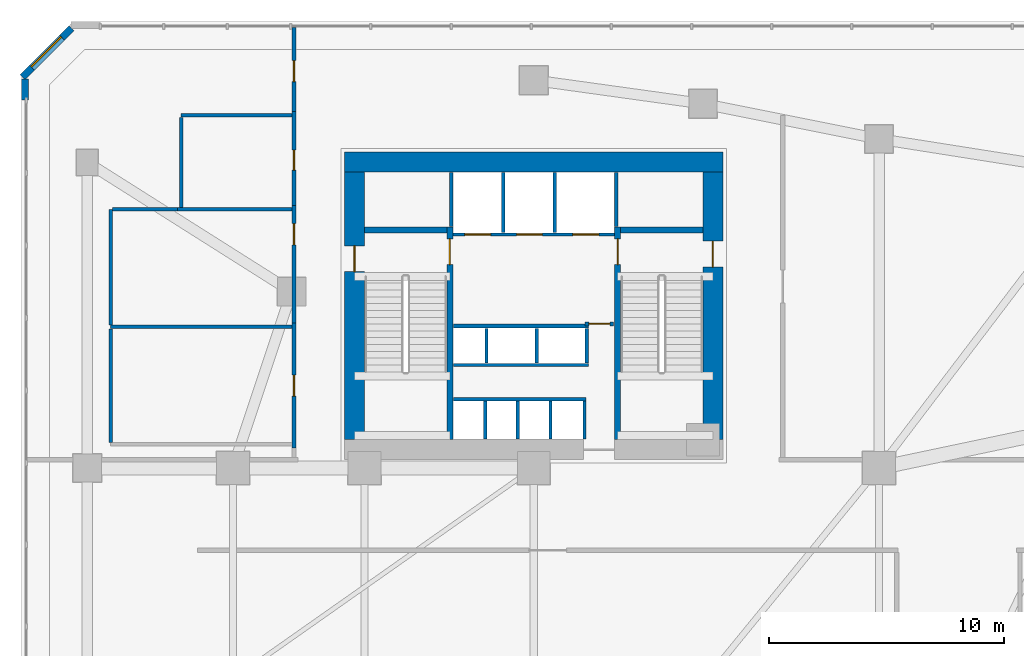
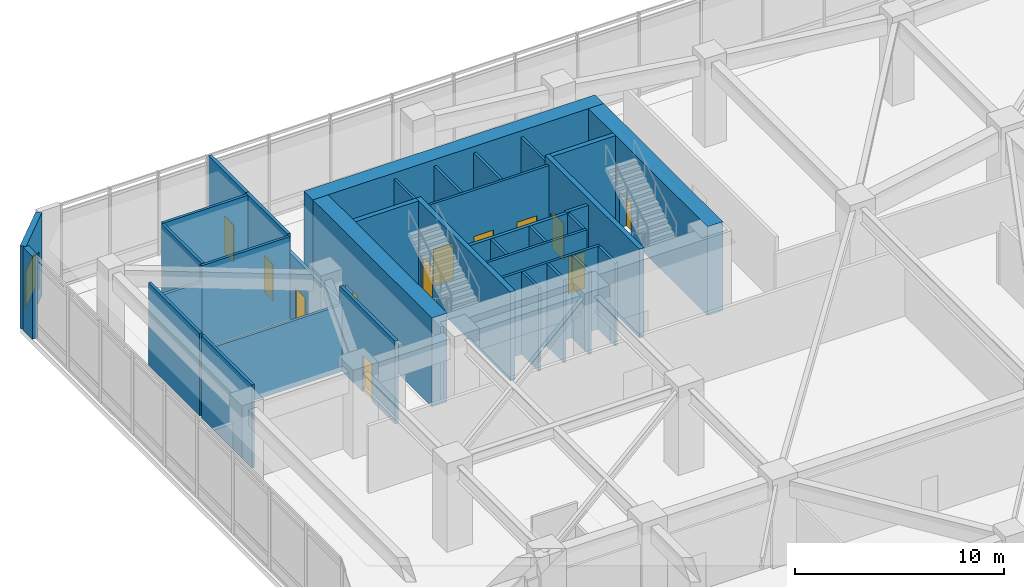
# One storey, part 11 of 15: 36 walls, 12 doors, 1 window, 13 openings.
"""IFC4 building model written with IfcOpenShell, lengths in metres."""

import ifcopenshell
import ifcopenshell.guid

model = None  # the IFC model being written
_history = None  # IfcOwnerHistory: only IFC2X3 demands one
_inside = {}  # id of a spatial element -> (the spatial element, [elements in it])
_under = {}  # id of a project, library or spatial element -> (it, [spatial elements below it])
_declared = {}  # id of a project -> (the project, [libraries it declares])
_typed = {}  # id of a type object -> (the type object, [elements of that type])
_made_of = {}  # id of a material, layer set ... -> (it, [elements and type objects made of it])


def new_model(schema):
    """Start an empty IFC model of exactly this schema.

    Asked for "IFC4X3", IfcOpenShell would pick the latest addendum, in which some entities
    have other attributes; the version numbers below select the first issue.
    IFC2X3 requires an IfcOwnerHistory on every rooted entity: one is made here for all.
    """
    global model, _history
    if schema == "IFC4X3":
        model = ifcopenshell.file(schema_version=(4, 3, 0, 0))
    else:
        model = ifcopenshell.file(schema=schema)
    _inside.clear()
    _under.clear()
    _declared.clear()
    _typed.clear()
    _made_of.clear()
    _history = None
    if model.schema == "IFC2X3":
        org = make("IfcOrganization", Name="unknown")
        user = make(
            "IfcPersonAndOrganization",
            ThePerson=make("IfcPerson", FamilyName="unknown"),
            TheOrganization=org,
        )
        app = make(
            "IfcApplication",
            ApplicationDeveloper=org,
            Version="unknown",
            ApplicationFullName="unknown",
            ApplicationIdentifier="unknown",
        )
        _history = make(
            "IfcOwnerHistory",
            OwningUser=user,
            OwningApplication=app,
            ChangeAction="ADDED",
            CreationDate=0,
        )
    return model


def make(cls, **values):
    """One entity of the class cls with the attributes given. An attribute that is None is left unset."""
    return model.create_entity(
        cls, **{name: value for name, value in values.items() if value is not None}
    )


def rooted(cls, **values):
    """An entity with a GlobalId (a new one), such as an element, a storey or a relation."""
    return make(cls, GlobalId=ifcopenshell.guid.new(), OwnerHistory=_history, **values)


def si_unit(unit_type, name, prefix=None):
    """IfcSIUnit, for example si_unit("LENGTHUNIT", "METRE", prefix="MILLI")."""
    return make("IfcSIUnit", UnitType=unit_type, Prefix=prefix, Name=name)


def assignment(units):
    """IfcUnitAssignment: the units of a project."""
    return None if units is None else make("IfcUnitAssignment", Units=units)


def point(xyz):
    """IfcCartesianPoint."""
    return None if xyz is None else make("IfcCartesianPoint", Coordinates=xyz)


def direction(xyz):
    """IfcDirection."""
    return None if xyz is None else make("IfcDirection", DirectionRatios=xyz)


def frame(location, z_axis=None, x_axis=None):
    """IfcAxis2Placement3D, a coordinate frame: its origin and axes. An axis left out is left unset."""
    return make(
        "IfcAxis2Placement3D",
        Location=point(location),
        Axis=direction(z_axis),
        RefDirection=direction(x_axis),
    )


def frame_2d(location, x_axis=None):
    """IfcAxis2Placement2D, a coordinate frame in the plane: its origin and x axis."""
    return make(
        "IfcAxis2Placement2D", Location=point(location), RefDirection=direction(x_axis)
    )


def origin():
    """The frame at (0, 0, 0) with its axes left unset."""
    return frame((0.0, 0.0, 0.0))


def place(relative_to, where):
    """IfcLocalPlacement: puts the frame where relative to a parent placement (None: the world)."""
    return make(
        "IfcLocalPlacement", PlacementRelTo=relative_to, RelativePlacement=where
    )


def context(
    kind, dimensions, precision=None, world=None, true_north=None, identifier=None
):
    """IfcGeometricRepresentationContext, for example the 3D "Model" context."""
    return make(
        "IfcGeometricRepresentationContext",
        ContextIdentifier=identifier,
        ContextType=kind,
        CoordinateSpaceDimension=dimensions,
        Precision=precision,
        WorldCoordinateSystem=world,
        TrueNorth=true_north,
    )


def subcontext(parent, identifier, kind, view, scale=None):
    """IfcGeometricRepresentationSubContext, for example "Body" below "Model"."""
    return make(
        "IfcGeometricRepresentationSubContext",
        ContextIdentifier=identifier,
        ContextType=kind,
        ParentContext=parent,
        TargetScale=scale,
        TargetView=view,
    )


def project(units=None, contexts=None):
    """IfcProject with its units and contexts."""
    return rooted(
        "IfcProject",
        Name="project",
        RepresentationContexts=contexts,
        UnitsInContext=assignment(units),
    )


def spatial(cls, under=None, at=None, **own):
    """A site, building, storey or space (cls), placed at a placement, below another one or the project."""
    s = rooted(cls, ObjectPlacement=at, **own)
    if under is not None:
        _under.setdefault(under.id(), (under, []))[1].append(s)
    return s


def profile(cls, at=None, kind="AREA", **sizes):
    """A parametric profile (cls). Its sizes go by their IFC names, for example OverallWidth=200.0."""
    return make(cls, ProfileType=kind, Position=at, **sizes)


def rectangle(**sizes):
    """IfcRectangleProfileDef."""
    return profile("IfcRectangleProfileDef", **sizes)


def extrude(swept, where, along, depth):
    """IfcExtrudedAreaSolid: the profile swept, set in the frame where, extruded along a direction by depth."""
    return make(
        "IfcExtrudedAreaSolid",
        SweptArea=swept,
        Position=where,
        ExtrudedDirection=direction(along),
        Depth=depth,
    )


def shape(context_of_items, identifier, shape_type, items):
    """IfcShapeRepresentation: the items that make up one representation, for example the "Body"."""
    return make(
        "IfcShapeRepresentation",
        ContextOfItems=context_of_items,
        RepresentationIdentifier=identifier,
        RepresentationType=shape_type,
        Items=items,
    )


def source(mapping_origin, context_of_items, identifier, shape_type, items):
    """IfcRepresentationMap: a shape defined once, which mapped items show again and again."""
    return make(
        "IfcRepresentationMap",
        MappingOrigin=mapping_origin,
        MappedRepresentation=shape(context_of_items, identifier, shape_type, items),
    )


def transform(
    local_origin,
    x_axis=None,
    y_axis=None,
    z_axis=None,
    scale=None,
    scale2=None,
    scale3=None,
    uniform=True,
):
    """IfcCartesianTransformationOperator3D, or its non-uniform kind. x_axis, y_axis, z_axis: its Axis1, 2, 3."""
    if uniform:
        return make(
            "IfcCartesianTransformationOperator3D",
            Axis1=direction(x_axis),
            Axis2=direction(y_axis),
            LocalOrigin=point(local_origin),
            Scale=scale,
            Axis3=direction(z_axis),
        )
    return make(
        "IfcCartesianTransformationOperator3DnonUniform",
        Axis1=direction(x_axis),
        Axis2=direction(y_axis),
        LocalOrigin=point(local_origin),
        Scale=scale,
        Axis3=direction(z_axis),
        Scale2=scale2,
        Scale3=scale3,
    )


def mapped(mapping_source, mapping_target):
    """IfcMappedItem: shows the shape of a source again, moved by a transform."""
    return make(
        "IfcMappedItem", MappingSource=mapping_source, MappingTarget=mapping_target
    )


def material(Name=None, Category=None):
    """IfcMaterial."""
    return make("IfcMaterial", Name=Name, Category=Category)


def layer(
    of_material, thickness, ventilated=None, Name=None, Category=None, Priority=None
):
    """IfcMaterialLayer: one layer of a wall or slab, of a material (None: an air gap)."""
    return make(
        "IfcMaterialLayer",
        Material=of_material,
        LayerThickness=thickness,
        IsVentilated=ventilated,
        Name=Name,
        Category=Category,
        Priority=Priority,
    )


def layer_set(layers, Name=None):
    """IfcMaterialLayerSet."""
    return make("IfcMaterialLayerSet", MaterialLayers=layers, LayerSetName=Name)


def made_of(thing, what):
    """Note that an element or type object is made of a material, layer set ...; save() writes the relation."""
    if what is not None:
        _made_of.setdefault(what.id(), (what, []))[1].append(thing)
    return thing


def type_object(cls, material=None, **own):
    """A type object (cls), such as IfcWallType, which elements share."""
    return made_of(rooted(cls, **own), material)


def element(
    cls,
    number,
    at=None,
    inside=None,
    cuts=None,
    type_object=None,
    material=None,
    context=None,
    identifier="Body",
    shape_type=None,
    held_by="IfcProductDefinitionShape",
    body=None,
    shapes=None,
    **own,
):
    """One element of the class cls, such as IfcWall. Its Tag is "e" and its number.

    at: its placement. inside: the storey or other place that contains it. cuts: it is an
    opening in that element (IfcRelVoidsElement). A single representation is given by context,
    identifier, shape_type and body (its items); several are given by shapes. held_by: the class
    of the entity that holds the representations. save() writes the other relations.
    """
    e = rooted(cls, Tag="e%d" % number, ObjectPlacement=at, **own)
    if body is not None:
        shapes = [shape(context, identifier, shape_type, body)]
    if shapes is not None:
        e.Representation = make(held_by, Representations=shapes)
    if inside is not None:
        _inside.setdefault(inside.id(), (inside, []))[1].append(e)
    if cuts is not None:
        rooted(
            "IfcRelVoidsElement", RelatingBuildingElement=cuts, RelatedOpeningElement=e
        )
    if type_object is not None:
        _typed.setdefault(type_object.id(), (type_object, []))[1].append(e)
    return made_of(e, material)


def fill(opening, filler):
    """IfcRelFillsElement: the door or window that sits in an opening."""
    return rooted(
        "IfcRelFillsElement",
        RelatingOpeningElement=opening,
        RelatedBuildingElement=filler,
    )


def aggregate(whole, parts):
    """IfcRelAggregates: a whole, such as a stair, and the parts it consists of."""
    return rooted("IfcRelAggregates", RelatingObject=whole, RelatedObjects=parts)


def save(model, path):
    """Write the relations noted so far, then the file.

    IfcRelAggregates (storeys below a building ...), IfcRelContainedInSpatialStructure (elements
    in a storey), IfcRelDefinesByType, IfcRelAssociatesMaterial and IfcRelDeclares: one each for
    every whole, place, type object, material and project.
    """
    for whole, parts in _under.values():
        aggregate(whole, parts)
    for where, things in _inside.values():
        rooted(
            "IfcRelContainedInSpatialStructure",
            RelatedElements=things,
            RelatingStructure=where,
        )
    for kind, things in _typed.values():
        rooted("IfcRelDefinesByType", RelatedObjects=things, RelatingType=kind)
    for what, things in _made_of.values():
        rooted("IfcRelAssociatesMaterial", RelatedObjects=things, RelatingMaterial=what)
    for by, libraries in _declared.values():
        rooted("IfcRelDeclares", RelatingContext=by, RelatedDefinitions=libraries)
    model.write(path)


model = new_model("IFC4")

# Units and contexts
model_context = context("Model", 3, precision=1e-05, world=origin(), true_north=direction((0.0, 1.0)))
body_context = subcontext(model_context, "Body", "Model", "MODEL_VIEW")
ifc_project = project(units=[si_unit("LENGTHUNIT", "METRE"), si_unit("AREAUNIT", "SQUARE_METRE"), si_unit("VOLUMEUNIT", "CUBIC_METRE"), si_unit("PLANEANGLEUNIT", "RADIAN"), si_unit("MASSUNIT", "GRAM", prefix="KILO")], contexts=[model_context])

# Site, building, storey
site_placement = place(None, origin())
site = spatial("IfcSite", under=ifc_project, at=site_placement, CompositionType="ELEMENT")
building_placement = place(site_placement, origin())
building = spatial("IfcBuilding", under=site, at=building_placement, Name="Calvemar Wedge Station Tower", CompositionType="ELEMENT")
storey_placement = place(building_placement, frame((0.0, 0.0, 16.39990234375)))
storey = spatial("IfcBuildingStorey", under=building, at=storey_placement, Name="L04", CompositionType="ELEMENT", Elevation=16.39990234375)

# Wall, opening, door
ifc_material_1 = material(Name="Concrete C50", Category="concrete")
ifc_layer_1 = layer(ifc_material_1, 0.260009765625)
ifc_layer_set_1 = layer_set([ifc_layer_1], Name="Concrete C50")
wall_type_1 = type_object("IfcWallType", Name="SW-CORE-260", PredefinedType="SHEAR", material=ifc_layer_set_1)
wall_1_placement = place(storey_placement, frame((20.22998046875, 34.199951171875, 0.0), z_axis=(0.0, 0.0, 1.0), x_axis=(0.0, 1.0, 0.0)))
wall_1 = element("IfcWall", 1, at=wall_1_placement, inside=storey, type_object=wall_type_1, Name="Storey L04 Core Shear Wall SPINE-W", PredefinedType="SHEAR", context=body_context, shape_type="SweptSolid", body=[
    extrude(rectangle(XDim=9.06005859375, YDim=0.260009765625, at=frame_2d((4.530029296875, 0.0))), origin(), (0.0, 0.0, 1.0), 5.2001953125),
])
shared_shape_1 = source(origin(), body_context, "Body", "SweptSolid", [
    extrude(rectangle(XDim=1.10009765625, YDim=2.14990234375, at=frame_2d((0.550048828125, 1.074951171875))), frame((0.0, 0.14013671875, 0.0), z_axis=(0.0, -1.0, 0.0), x_axis=(1.0, 0.0, 0.0)), (0.0, 0.0, 1.0), 0.280029296875),
])
opening_1_placement = place(wall_1_placement, frame((7.449951171875, 0.0, 0.0)))
opening_1 = element("IfcOpeningElement", 2, at=opening_1_placement, cuts=wall_1, Name="Opening FD-90", PredefinedType="OPENING", context=body_context, shape_type="MappedRepresentation", body=[
    mapped(shared_shape_1, transform((0.0, 0.0, 0.0), scale=1.0)),
])
ifc_material_2 = material(Name="Galvanized fire-rated steel door leaf P-90", Category="steel")
door_type_1 = type_object("IfcDoorType", Name="DR-FD90-1100", OperationType="NOTDEFINED", PredefinedType="DOOR", material=ifc_material_2)
shared_shape_2 = source(origin(), body_context, "Body", "SweptSolid", [
    extrude(rectangle(XDim=1.10009765625, YDim=2.14990234375, at=frame_2d((0.550048828125, 1.074951171875))), frame((0.0, 0.02490234375, 0.0), z_axis=(0.0, -1.0, 0.0), x_axis=(1.0, 0.0, 0.0)), (0.0, 0.0, 1.0), 0.050048828125),
])
door_1_placement = place(opening_1_placement, origin())
door_1 = element("IfcDoor", 3, at=door_1_placement, inside=storey, type_object=door_type_1, Name="L04 FF Lobby to Stair ST-C1 Door", OperationType="SINGLE_SWING_RIGHT", OverallHeight=2.14990234375, OverallWidth=1.10009765625, PredefinedType="DOOR", context=body_context, shape_type="MappedRepresentation", body=[
    mapped(shared_shape_2, transform((0.0, 0.0, 0.0), scale=1.0)),
])
fill(opening_1, door_1)

wall_2_placement = place(storey_placement, frame((27.3701171875, 34.199951171875, 0.0), z_axis=(0.0, 0.0, 1.0), x_axis=(0.0, 1.0, 0.0)))
wall_2 = element("IfcWall", 4, at=wall_2_placement, inside=storey, type_object=wall_type_1, Name="Storey L04 Core Shear Wall SPINE-E", PredefinedType="SHEAR", context=body_context, shape_type="SweptSolid", body=[
    extrude(rectangle(XDim=9.06005859375, YDim=0.260009765625, at=frame_2d((4.530029296875, 0.0))), origin(), (0.0, 0.0, 1.0), 5.2001953125),
])
opening_2_placement = place(wall_2_placement, frame((7.449951171875, 0.0, 0.0)))
opening_2 = element("IfcOpeningElement", 5, at=opening_2_placement, cuts=wall_2, Name="Opening FD-90", PredefinedType="OPENING", context=body_context, shape_type="MappedRepresentation", body=[
    mapped(shared_shape_1, transform((0.0, 0.0, 0.0), scale=1.0)),
])
door_2_placement = place(opening_2_placement, origin())
door_2 = element("IfcDoor", 6, at=door_2_placement, inside=storey, type_object=door_type_1, Name="L04 FF Lobby to Stair ST-C2 Door", OperationType="SINGLE_SWING_LEFT", OverallHeight=2.14990234375, OverallWidth=1.10009765625, PredefinedType="DOOR", context=body_context, shape_type="MappedRepresentation", body=[
    mapped(shared_shape_2, transform((0.0, 0.0, 0.0), scale=1.0)),
])
fill(opening_2, door_2)

# Walls
for number, where, z_axis, x_axis, name in (
    (7, (16.60009765625, 43.1298828125, 0.0), (0.0, 0.0, 1.0), (1.0, 0.0, 0.0), "Storey L04 Core Shear Wall STC1-N"),
    (8, (27.5, 43.1298828125, 0.0), (0.0, 0.0, 1.0), (1.0, 0.0, 0.0), "Storey L04 Core Shear Wall STC2-N"),
):
    element("IfcWall", number, at=place(storey_placement, frame(where, z_axis=z_axis, x_axis=x_axis)), inside=storey, type_object=wall_type_1, Name=name, PredefinedType="SHEAR", context=body_context, shape_type="SweptSolid", body=[
        extrude(rectangle(XDim=3.5, YDim=0.260009765625, at=frame_2d((1.75, 0.0))), origin(), (0.0, 0.0, 1.0), 5.2001953125),
    ])
ifc_material_3 = material(Name="Concrete C80", Category="concrete")
ifc_layer_2 = layer(ifc_material_3, 0.85009765625)
ifc_layer_set_2 = layer_set([ifc_layer_2], Name="Concrete C80")
wall_type_2 = type_object("IfcWallType", Name="SW-CORE-850", PredefinedType="SHEAR", material=ifc_layer_set_2)
wall_3_placement = place(storey_placement, frame((15.75, 46.02490234375, 0.0), z_axis=(0.0, 0.0, 1.0), x_axis=(1.0, 0.0, 0.0)))
element("IfcWall", 9, at=wall_3_placement, inside=storey, type_object=wall_type_2, Name="Storey L04 Core Shear Wall N", PredefinedType="SHEAR", context=body_context, shape_type="SweptSolid", body=[
    extrude(rectangle(XDim=16.10009765625, YDim=0.85009765625, at=frame_2d((8.050048828125, 0.0))), origin(), (0.0, 0.0, 1.0), 5.2001953125),
])

# Wall, opening, door
wall_4_placement = place(storey_placement, frame((16.175048828125, 34.199951171875, 0.0), z_axis=(0.0, 0.0, 1.0), x_axis=(0.0, 1.0, 0.0)))
wall_4 = element("IfcWall", 10, at=wall_4_placement, inside=storey, type_object=wall_type_2, Name="Storey L04 Core Shear Wall W", PredefinedType="SHEAR", context=body_context, shape_type="SweptSolid", body=[
    extrude(rectangle(XDim=11.400146484375, YDim=0.85009765625, at=frame_2d((5.7001953125, 0.0))), origin(), (0.0, 0.0, 1.0), 5.2001953125),
])
shared_shape_3 = source(origin(), body_context, "Body", "SweptSolid", [
    extrude(rectangle(XDim=1.10009765625, YDim=2.14990234375, at=frame_2d((0.550048828125, 1.074951171875))), frame((0.0, 0.43505859375, 0.0), z_axis=(0.0, -1.0, 0.0), x_axis=(1.0, 0.0, 0.0)), (0.0, 0.0, 1.0), 0.8701171875),
])
opening_3_placement = place(wall_4_placement, frame((7.14990234375, 0.0, 0.0)))
opening_3 = element("IfcOpeningElement", 11, at=opening_3_placement, cuts=wall_4, Name="Opening FD-90", PredefinedType="OPENING", context=body_context, shape_type="MappedRepresentation", body=[
    mapped(shared_shape_3, transform((0.0, 0.0, 0.0), scale=1.0)),
])
door_3_placement = place(opening_3_placement, origin())
door_3 = element("IfcDoor", 12, at=door_3_placement, inside=storey, type_object=door_type_1, Name="L04 West Corridor to Exit Stair ST-C1 Door", OperationType="SINGLE_SWING_RIGHT", OverallHeight=2.14990234375, OverallWidth=1.10009765625, PredefinedType="DOOR", context=body_context, shape_type="MappedRepresentation", body=[
    mapped(shared_shape_2, transform((0.0, 0.0, 0.0), scale=1.0)),
])
fill(opening_3, door_3)

wall_5_placement = place(storey_placement, frame((31.425048828125, 34.199951171875, 0.0), z_axis=(0.0, 0.0, 1.0), x_axis=(0.0, 1.0, 0.0)))
wall_5 = element("IfcWall", 13, at=wall_5_placement, inside=storey, type_object=wall_type_2, Name="Storey L04 Core Shear Wall E", PredefinedType="SHEAR", context=body_context, shape_type="SweptSolid", body=[
    extrude(rectangle(XDim=11.400146484375, YDim=0.85009765625, at=frame_2d((5.7001953125, 0.0))), origin(), (0.0, 0.0, 1.0), 5.2001953125),
])
opening_4_placement = place(wall_5_placement, frame((7.35009765625, 0.0, 0.0)))
opening_4 = element("IfcOpeningElement", 14, at=opening_4_placement, cuts=wall_5, Name="Opening FD-90", PredefinedType="OPENING", context=body_context, shape_type="MappedRepresentation", body=[
    mapped(shared_shape_3, transform((0.0, 0.0, 0.0), scale=1.0)),
])
door_4_placement = place(opening_4_placement, origin())
door_4 = element("IfcDoor", 15, at=door_4_placement, inside=storey, type_object=door_type_1, Name="L04 East Corridor to Exit Stair ST-C2 Door", OperationType="SINGLE_SWING_LEFT", OverallHeight=2.14990234375, OverallWidth=1.10009765625, PredefinedType="DOOR", context=body_context, shape_type="MappedRepresentation", body=[
    mapped(shared_shape_2, transform((0.0, 0.0, 0.0), scale=1.0)),
])
fill(opening_4, door_4)

ifc_material_4 = material(Name="Double-stud fire-rated corridor partition")
ifc_layer_3 = layer(ifc_material_4, 0.179931640625)
ifc_layer_set_3 = layer_set([ifc_layer_3], Name="Double-stud fire-rated corridor partition")
wall_type_3 = type_object("IfcWallType", Name="W-CORR-180", PredefinedType="PARTITIONING", material=ifc_layer_set_3)
wall_6_placement = place(storey_placement, frame((27.199951171875, 39.1298828125, 0.0), z_axis=(0.0, 0.0, 1.0), x_axis=(-1.0, 0.0, 0.0)))
wall_6 = element("IfcWall", 16, at=wall_6_placement, inside=storey, type_object=wall_type_3, Name="Storey L04 Interior Partition WL-L04-001", PredefinedType="PARTITIONING", context=body_context, shape_type="SweptSolid", body=[
    extrude(rectangle(XDim=1.2099609375, YDim=0.179931640625, at=frame_2d((0.60498046875, 0.0))), origin(), (0.0, 0.0, 1.0), 4.85009765625),
])
shared_shape_4 = source(origin(), body_context, "Body", "SweptSolid", [
    extrude(rectangle(XDim=0.89990234375, YDim=2.14990234375, at=frame_2d((0.449951171875, 1.074951171875))), frame((0.0, 0.10009765625, 0.0), z_axis=(0.0, -1.0, 0.0), x_axis=(1.0, 0.0, 0.0)), (0.0, 0.0, 1.0), 0.199951171875),
])
opening_5_placement = place(wall_6_placement, frame((0.155029296875, 0.0, 0.0)))
opening_5 = element("IfcOpeningElement", 17, at=opening_5_placement, cuts=wall_6, Name="Opening FD-60", PredefinedType="OPENING", context=body_context, shape_type="MappedRepresentation", body=[
    mapped(shared_shape_4, transform((0.0, 0.0, 0.0), scale=1.0)),
])
ifc_material_5 = material(Name="Fire-rated acoustic timber-core entrance door EI 60", Category="wood")
door_type_2 = type_object("IfcDoorType", Name="DR-FD60-900", OperationType="NOTDEFINED", PredefinedType="DOOR", material=ifc_material_5)
shared_shape_5 = source(origin(), body_context, "Body", "SweptSolid", [
    extrude(rectangle(XDim=0.89990234375, YDim=2.14990234375, at=frame_2d((0.449951171875, 1.074951171875))), frame((0.0, 0.02490234375, 0.0), z_axis=(0.0, -1.0, 0.0), x_axis=(1.0, 0.0, 0.0)), (0.0, 0.0, 1.0), 0.050048828125),
])
door_5_placement = place(opening_5_placement, origin())
door_5 = element("IfcDoor", 18, at=door_5_placement, inside=storey, type_object=door_type_2, Name="L04 Core Service Lobby Door", OperationType="SINGLE_SWING_RIGHT", OverallHeight=2.14990234375, OverallWidth=0.89990234375, PredefinedType="DOOR", context=body_context, shape_type="MappedRepresentation", body=[
    mapped(shared_shape_5, transform((0.0, 0.0, 0.0), scale=1.0)),
])
fill(opening_5, door_5)

wall_7_placement = place(storey_placement, frame((13.60009765625, 33.840087890625, 0.0), z_axis=(0.0, 0.0, 1.0), x_axis=(0.0, 1.0, 0.0)))
wall_7 = element("IfcWall", 19, at=wall_7_placement, inside=storey, type_object=wall_type_3, Name="Storey L04 Interior Partition WL-L04-008", PredefinedType="PARTITIONING", context=body_context, shape_type="SweptSolid", body=[
    extrude(rectangle(XDim=5.31982421875, YDim=0.179931640625, at=frame_2d((2.659912109375, 0.0))), origin(), (0.0, 0.0, 1.0), 4.85009765625),
])
opening_6_placement = place(wall_7_placement, frame((2.2099609375, 0.0, 0.0)))
opening_6 = element("IfcOpeningElement", 20, at=opening_6_placement, cuts=wall_7, Name="Opening D-01", PredefinedType="OPENING", context=body_context, shape_type="MappedRepresentation", body=[
    mapped(shared_shape_4, transform((0.0, 0.0, 0.0), scale=1.0)),
])
ifc_material_6 = material(Name="Architectural hardwood acoustic swing door", Category="wood")
door_type_3 = type_object("IfcDoorType", Name="DR-INT-900", OperationType="NOTDEFINED", PredefinedType="DOOR", material=ifc_material_6)
shared_shape_6 = source(origin(), body_context, "Body", "SweptSolid", [
    extrude(rectangle(XDim=0.89990234375, YDim=2.14990234375, at=frame_2d((0.449951171875, 1.074951171875))), frame((0.0, 0.02490234375, 0.0), z_axis=(0.0, -1.0, 0.0), x_axis=(1.0, 0.0, 0.0)), (0.0, 0.0, 1.0), 0.050048828125),
])
door_6_placement = place(opening_6_placement, origin())
door_6 = element("IfcDoor", 21, at=door_6_placement, inside=storey, type_object=door_type_3, Name="L04 Male Toilet Door", OperationType="SINGLE_SWING_LEFT", OverallHeight=2.14990234375, OverallWidth=0.89990234375, PredefinedType="DOOR", context=body_context, shape_type="MappedRepresentation", body=[
    mapped(shared_shape_6, transform((0.0, 0.0, 0.0), scale=1.0)),
])
fill(opening_6, door_6)

wall_8_placement = place(storey_placement, frame((13.60009765625, 39.162109375, 0.0), z_axis=(0.0, 0.0, 1.0), x_axis=(0.0, 1.0, 0.0)))
wall_8 = element("IfcWall", 22, at=wall_8_placement, inside=storey, type_object=wall_type_3, Name="Storey L04 Interior Partition WL-L04-009", PredefinedType="PARTITIONING", context=body_context, shape_type="SweptSolid", body=[
    extrude(rectangle(XDim=4.997802734375, YDim=0.179931640625, at=frame_2d((2.4990234375, 0.0))), origin(), (0.0, 0.0, 1.0), 3.89208984375),
])
opening_7_placement = place(wall_8_placement, frame((3.330078125, 0.0, 0.0)))
opening_7 = element("IfcOpeningElement", 23, at=opening_7_placement, cuts=wall_8, Name="Opening D-01", PredefinedType="OPENING", context=body_context, shape_type="MappedRepresentation", body=[
    mapped(shared_shape_4, transform((0.0, 0.0, 0.0), scale=1.0)),
])
door_7_placement = place(opening_7_placement, origin())
door_7 = element("IfcDoor", 24, at=door_7_placement, inside=storey, type_object=door_type_3, Name="L04 Female Toilet Door", OperationType="SINGLE_SWING_RIGHT", OverallHeight=2.14990234375, OverallWidth=0.89990234375, PredefinedType="DOOR", context=body_context, shape_type="MappedRepresentation", body=[
    mapped(shared_shape_6, transform((0.0, 0.0, 0.0), scale=1.0)),
])
fill(opening_7, door_7)

wall_9_placement = place(storey_placement, frame((13.60009765625, 44.162109375, 0.0), z_axis=(0.0, 0.0, 1.0), x_axis=(0.0, 1.0, 0.0)))
wall_9 = element("IfcWall", 25, at=wall_9_placement, inside=storey, type_object=wall_type_3, Name="Storey L04 Interior Partition WL-L04-010", PredefinedType="PARTITIONING", context=body_context, shape_type="SweptSolid", body=[
    extrude(rectangle(XDim=3.997802734375, YDim=0.179931640625, at=frame_2d((1.9990234375, 0.0))), origin(), (0.0, 0.0, 1.0), 4.85009765625),
])
shared_shape_7 = source(origin(), body_context, "Body", "SweptSolid", [
    extrude(rectangle(XDim=0.85009765625, YDim=2.14990234375, at=frame_2d((0.425048828125, 1.074951171875))), frame((0.0, 0.10009765625, 0.0), z_axis=(0.0, -1.0, 0.0), x_axis=(1.0, 0.0, 0.0)), (0.0, 0.0, 1.0), 0.199951171875),
])
opening_8_placement = place(wall_9_placement, frame((1.512451171875, 0.0, 0.0)))
opening_8 = element("IfcOpeningElement", 26, at=opening_8_placement, cuts=wall_9, Name="Opening D-02", PredefinedType="OPENING", context=body_context, shape_type="MappedRepresentation", body=[
    mapped(shared_shape_7, transform((0.0, 0.0, 0.0), scale=1.0)),
])
ifc_material_7 = material(Name="Moisture-sealed bathroom hardwood swing door", Category="wood")
door_type_4 = type_object("IfcDoorType", Name="DR-WET-850", OperationType="NOTDEFINED", PredefinedType="DOOR", material=ifc_material_7)
shared_shape_8 = source(origin(), body_context, "Body", "SweptSolid", [
    extrude(rectangle(XDim=0.85009765625, YDim=2.14990234375, at=frame_2d((0.425048828125, 1.074951171875))), frame((0.0, 0.02490234375, 0.0), z_axis=(0.0, -1.0, 0.0), x_axis=(1.0, 0.0, 0.0)), (0.0, 0.0, 1.0), 0.050048828125),
])
door_8_placement = place(opening_8_placement, origin())
door_8 = element("IfcDoor", 27, at=door_8_placement, inside=storey, type_object=door_type_4, Name="L04 Accessible WC Door", OperationType="SINGLE_SWING_LEFT", OverallHeight=2.14990234375, OverallWidth=0.85009765625, PredefinedType="DOOR", context=body_context, shape_type="MappedRepresentation", body=[
    mapped(shared_shape_8, transform((0.0, 0.0, 0.0), scale=1.0)),
])
fill(opening_8, door_8)

wall_10_placement = place(storey_placement, frame((13.60009765625, 48.162109375, 0.0), z_axis=(0.0, 0.0, 1.0), x_axis=(0.0, 1.0, 0.0)))
wall_10 = element("IfcWall", 28, at=wall_10_placement, inside=storey, type_object=wall_type_3, Name="Storey L04 Interior Partition WL-L04-011", PredefinedType="PARTITIONING", context=body_context, shape_type="SweptSolid", body=[
    extrude(rectangle(XDim=3.572998046875, YDim=0.179931640625, at=frame_2d((1.78662109375, 0.0))), origin(), (0.0, 0.0, 1.0), 4.85009765625),
])
opening_9_placement = place(wall_10_placement, frame((1.2744140625, 0.0, 0.0)))
opening_9 = element("IfcOpeningElement", 29, at=opening_9_placement, cuts=wall_10, Name="Opening FD-60", PredefinedType="OPENING", context=body_context, shape_type="MappedRepresentation", body=[
    mapped(shared_shape_4, transform((0.0, 0.0, 0.0), scale=1.0)),
])
door_9_placement = place(opening_9_placement, origin())
door_9 = element("IfcDoor", 30, at=door_9_placement, inside=storey, type_object=door_type_2, Name="L04 L04 Podium Storage Room Door", OperationType="SINGLE_SWING_RIGHT", OverallHeight=2.14990234375, OverallWidth=0.89990234375, PredefinedType="DOOR", context=body_context, shape_type="MappedRepresentation", body=[
    mapped(shared_shape_5, transform((0.0, 0.0, 0.0), scale=1.0)),
])
fill(opening_9, door_9)

# Wall, opening, window
ifc_material_8 = material(Name="Precast concrete C45", Category="concrete")
ifc_layer_4 = layer(ifc_material_8, 0.300048828125)
ifc_layer_set_4 = layer_set([ifc_layer_4], Name="Precast concrete C45")
wall_type_4 = type_object("IfcWallType", Name="W-EXT-GFRC-300", PredefinedType="SOLIDWALL", material=ifc_layer_set_4)
wall_11_placement = place(storey_placement, frame((4.1240234375, 51.7119140625, 0.0), z_axis=(0.0, 0.0, 1.0), x_axis=(-0.707106781187, -0.707106781187, 0.0)))
wall_11 = element("IfcWall", 31, at=wall_11_placement, inside=storey, type_object=wall_type_4, Name="Storey L04 Bronze GFRC Exterior Wall 5", PredefinedType="SOLIDWALL", context=body_context, shape_type="SweptSolid", body=[
    extrude(rectangle(XDim=2.941650390625, YDim=0.300048828125, at=frame_2d((1.470703125, 0.0))), origin(), (0.0, 0.0, 1.0), 4.85009765625),
])
shared_shape_9 = source(origin(), body_context, "Body", "SweptSolid", [
    extrude(rectangle(XDim=1.800048828125, YDim=2.10009765625, at=frame_2d((0.89990234375, 1.050048828125))), frame((0.0, 0.16015625, 0.0), z_axis=(0.0, -1.0, 0.0), x_axis=(1.0, 0.0, 0.0)), (0.0, 0.0, 1.0), 0.320068359375),
])
opening_10_placement = place(wall_11_placement, frame((0.571044921875, 0.0, 0.85009765625)))
opening_10 = element("IfcOpeningElement", 32, at=opening_10_placement, cuts=wall_11, Name="Opening W2", PredefinedType="OPENING", context=body_context, shape_type="MappedRepresentation", body=[
    mapped(shared_shape_9, transform((0.0, 0.0, 0.0), scale=1.0)),
])
ifc_material_9 = material(Name="Low-E laminated insulated glass", Category="glass")
window_type = type_object("IfcWindowType", Name="WIN-EXT-2", PartitioningType="SINGLE_PANEL", PredefinedType="WINDOW", material=ifc_material_9)
shared_shape_10 = source(origin(), body_context, "Body", "SweptSolid", [
    extrude(rectangle(XDim=1.800048828125, YDim=2.10009765625, at=frame_2d((0.89990234375, 1.050048828125))), frame((0.0, -0.014892578125, 0.0), z_axis=(0.0, -1.0, 0.0), x_axis=(1.0, 0.0, 0.0)), (0.0, 0.0, 1.0), 0.06005859375),
])
window_placement = place(opening_10_placement, origin())
window = element("IfcWindow", 33, at=window_placement, inside=storey, type_object=window_type, Name="Storey L04 Recessed Window 5.1", OverallHeight=2.10009765625, OverallWidth=1.800048828125, PartitioningType="SINGLE_PANEL", PredefinedType="WINDOW", context=body_context, shape_type="MappedRepresentation", body=[
    mapped(shared_shape_10, transform((0.0, 0.0, 0.0), scale=1.0)),
])
fill(opening_10, window)

# Wall
wall_12_placement = place(storey_placement, frame((2.14990234375, 49.542724609375, 0.0), z_axis=(0.0, 0.0, 1.0), x_axis=(0.0, -1.0, 0.0)))
element("IfcWall", 34, at=wall_12_placement, inside=storey, type_object=wall_type_4, Name="Storey L04 Bronze GFRC Corner Pier 6A", PredefinedType="SOLIDWALL", context=body_context, shape_type="SweptSolid", body=[
    extrude(rectangle(XDim=0.87744140625, YDim=0.300048828125, at=frame_2d((0.438720703125, 0.0))), origin(), (0.0, 0.0, 1.0), 4.85009765625),
])

# Wall, openings, doors
ifc_material_10 = material(Name="Reinforced concrete blockwork lift shaft wall", Category="masonry")
ifc_layer_5 = layer(ifc_material_10, 0.139892578125)
ifc_layer_set_5 = layer_set([ifc_layer_5], Name="Reinforced concrete blockwork lift shaft wall")
wall_type_5 = type_object("IfcWallType", Name="W-LIFT-160", PredefinedType="SOLIDWALL", material=ifc_layer_set_5)
wall_13_placement = place(storey_placement, frame((20.3701171875, 42.929931640625, 0.0), z_axis=(0.0, 0.0, 1.0), x_axis=(1.0, 0.0, 0.0)))
wall_13 = element("IfcWall", 35, at=wall_13_placement, inside=storey, type_object=wall_type_5, Name="Storey L04 Firefighting and Service Lift Shaft Front Wall", PredefinedType="SOLIDWALL", context=body_context, shape_type="SweptSolid", body=[
    extrude(rectangle(XDim=6.85986328125, YDim=0.139892578125, at=frame_2d((3.429931640625, 0.0))), origin(), (0.0, 0.0, 1.0), 4.85009765625),
])
shared_shape_11 = source(origin(), body_context, "Body", "SweptSolid", [
    extrude(rectangle(XDim=1.10009765625, YDim=2.14990234375, at=frame_2d((0.550048828125, 1.074951171875))), frame((0.0, 0.080078125, 0.0), z_axis=(0.0, -1.0, 0.0), x_axis=(1.0, 0.0, 0.0)), (0.0, 0.0, 1.0), 0.159912109375),
])
opening_11_placement = place(wall_13_placement, frame((0.5, 0.0, 0.0)))
opening_11 = element("IfcOpeningElement", 36, at=opening_11_placement, cuts=wall_13, Name="Opening LD-FF", PredefinedType="OPENING", context=body_context, shape_type="MappedRepresentation", body=[
    mapped(shared_shape_11, transform((0.0, 0.0, 0.0), scale=1.0)),
])
opening_12_placement = place(wall_13_placement, frame((2.699951171875, 0.0, 0.0)))
opening_12 = element("IfcOpeningElement", 37, at=opening_12_placement, cuts=wall_13, Name="Opening LD-FF", PredefinedType="OPENING", context=body_context, shape_type="MappedRepresentation", body=[
    mapped(shared_shape_11, transform((0.0, 0.0, 0.0), scale=1.0)),
])
opening_13_placement = place(wall_13_placement, frame((5.10009765625, 0.0, 0.0)))
opening_13 = element("IfcOpeningElement", 38, at=opening_13_placement, cuts=wall_13, Name="Opening LD-STN", PredefinedType="OPENING", context=body_context, shape_type="MappedRepresentation", body=[
    mapped(shared_shape_11, transform((0.0, 0.0, 0.0), scale=1.0)),
])
ifc_material_11 = material(Name="Stainless steel firefighting lift sliding landing door", Category="steel")
door_type_5 = type_object("IfcDoorType", Name="DR-LD-FF-1100", OperationType="SLIDING_TO_LEFT", PredefinedType="DOOR", material=ifc_material_11)
shared_shape_12 = source(origin(), body_context, "Body", "SweptSolid", [
    extrude(rectangle(XDim=1.10009765625, YDim=2.14990234375, at=frame_2d((0.550048828125, 1.074951171875))), frame((0.0, 0.02490234375, 0.0), z_axis=(0.0, -1.0, 0.0), x_axis=(1.0, 0.0, 0.0)), (0.0, 0.0, 1.0), 0.050048828125),
])
door_10_placement = place(opening_11_placement, origin())
door_10 = element("IfcDoor", 39, at=door_10_placement, inside=storey, type_object=door_type_5, Name="L04 Lift FF-01 Sliding Landing Door", OperationType="SLIDING_TO_LEFT", OverallHeight=2.14990234375, OverallWidth=1.10009765625, PredefinedType="DOOR", context=body_context, shape_type="MappedRepresentation", body=[
    mapped(shared_shape_12, transform((0.0, 0.0, 0.0), scale=1.0)),
])
fill(opening_11, door_10)
door_11_placement = place(opening_12_placement, origin())
door_11 = element("IfcDoor", 40, at=door_11_placement, inside=storey, type_object=door_type_5, Name="L04 Lift FF-02 Sliding Landing Door", OperationType="SLIDING_TO_RIGHT", OverallHeight=2.14990234375, OverallWidth=1.10009765625, PredefinedType="DOOR", context=body_context, shape_type="MappedRepresentation", body=[
    mapped(shared_shape_12, transform((0.0, 0.0, 0.0), scale=1.0)),
])
fill(opening_12, door_11)
ifc_material_12 = material(Name="Stainless steel transit lift sliding landing door", Category="steel")
door_type_6 = type_object("IfcDoorType", Name="DR-LD-PAX-1100", OperationType="SLIDING_TO_LEFT", PredefinedType="DOOR", material=ifc_material_12)
shared_shape_13 = source(origin(), body_context, "Body", "SweptSolid", [
    extrude(rectangle(XDim=1.10009765625, YDim=2.14990234375, at=frame_2d((0.550048828125, 1.074951171875))), frame((0.0, 0.02490234375, 0.0), z_axis=(0.0, -1.0, 0.0), x_axis=(1.0, 0.0, 0.0)), (0.0, 0.0, 1.0), 0.050048828125),
])
door_12_placement = place(opening_13_placement, origin())
door_12 = element("IfcDoor", 41, at=door_12_placement, inside=storey, type_object=door_type_6, Name="L04 Lift SV-01 Sliding Landing Door", OperationType="SLIDING_TO_LEFT", OverallHeight=2.14990234375, OverallWidth=1.10009765625, PredefinedType="DOOR", context=body_context, shape_type="MappedRepresentation", body=[
    mapped(shared_shape_13, transform((0.0, 0.0, 0.0), scale=1.0)),
])
fill(opening_13, door_12)

# Walls
for number, where, z_axis, x_axis, name in (
    (42, (20.2900390625, 43.280029296875, 0.0), (0.0, 0.0, 1.0), (0.0, 1.0, 0.0), "Storey L04 Firefighting Lift Shaft Enclosure Wall W"),
    (43, (27.31005859375, 43.280029296875, 0.0), (0.0, 0.0, 1.0), (0.0, 1.0, 0.0), "Storey L04 Firefighting Lift Shaft Enclosure Wall E"),
):
    element("IfcWall", number, at=place(storey_placement, frame(where, z_axis=z_axis, x_axis=x_axis)), inside=storey, type_object=wall_type_5, Name=name, PredefinedType="SOLIDWALL", context=body_context, shape_type="SweptSolid", body=[
        extrude(rectangle(XDim=2.300048828125, YDim=0.139892578125, at=frame_2d((1.14990234375, 0.0))), origin(), (0.0, 0.0, 1.0), 4.85009765625),
    ])
for number, where, z_axis, x_axis, name in (
    (44, (22.5, 43.02001953125, 0.0), (0.0, 0.0, 1.0), (0.0, 1.0, 0.0), "Storey L04 Firefighting Lift Shaft Enclosure Wall D1"),
    (45, (24.699951171875, 43.02001953125, 0.0), (0.0, 0.0, 1.0), (0.0, 1.0, 0.0), "Storey L04 Firefighting Lift Shaft Enclosure Wall D2"),
):
    element("IfcWall", number, at=place(storey_placement, frame(where, z_axis=z_axis, x_axis=x_axis)), inside=storey, type_object=wall_type_5, Name=name, PredefinedType="SOLIDWALL", context=body_context, shape_type="SweptSolid", body=[
        extrude(rectangle(XDim=2.56005859375, YDim=0.139892578125, at=frame_2d((1.280029296875, 0.0))), origin(), (0.0, 0.0, 1.0), 4.85009765625),
    ])
wall_14_placement = place(storey_placement, frame((20.3798828125, 35.919921875, 0.0), z_axis=(0.0, 0.0, 1.0), x_axis=(1.0, 0.0, 0.0)))
element("IfcWall", 46, at=wall_14_placement, inside=storey, type_object=wall_type_5, Name="Storey L04 South Passenger Lift Bank Front Wall", PredefinedType="SOLIDWALL", context=body_context, shape_type="SweptSolid", body=[
    extrude(rectangle(XDim=5.650146484375, YDim=0.139892578125, at=frame_2d((2.8251953125, 0.0))), origin(), (0.0, 0.0, 1.0), 4.85009765625),
])
for number, where, z_axis, x_axis, name in (
    (47, (25.9599609375, 34.219970703125, 0.0), (0.0, 0.0, 1.0), (0.0, 1.0, 0.0), "Storey L04 South Passenger Lift Shaft Wall E"),
    (48, (21.735107421875, 34.219970703125, 0.0), (0.0, 0.0, 1.0), (0.0, 1.0, 0.0), "Storey L04 South Passenger Lift Shaft Wall D1"),
    (49, (23.125, 34.219970703125, 0.0), (0.0, 0.0, 1.0), (0.0, 1.0, 0.0), "Storey L04 South Passenger Lift Shaft Wall D2"),
    (50, (24.514892578125, 34.219970703125, 0.0), (0.0, 0.0, 1.0), (0.0, 1.0, 0.0), "Storey L04 South Passenger Lift Shaft Wall D3"),
):
    element("IfcWall", number, at=place(storey_placement, frame(where, z_axis=z_axis, x_axis=x_axis)), inside=storey, type_object=wall_type_5, Name=name, PredefinedType="SOLIDWALL", context=body_context, shape_type="SweptSolid", body=[
        extrude(rectangle(XDim=1.6201171875, YDim=0.139892578125, at=frame_2d((0.81005859375, 0.0))), origin(), (0.0, 0.0, 1.0), 4.85009765625),
    ])
wall_15_placement = place(storey_placement, frame((20.3798828125, 37.3798828125, 0.0), z_axis=(0.0, 0.0, 1.0), x_axis=(1.0, 0.0, 0.0)))
element("IfcWall", 51, at=wall_15_placement, inside=storey, type_object=wall_type_5, Name="Storey L04 Upper Passenger Lift Bank Front Wall", PredefinedType="SOLIDWALL", context=body_context, shape_type="SweptSolid", body=[
    extrude(rectangle(XDim=5.75, YDim=0.139892578125, at=frame_2d((2.875, 0.0))), origin(), (0.0, 0.0, 1.0), 4.85009765625),
])
for number, where, z_axis, x_axis, name in (
    (52, (26.06005859375, 37.4599609375, 0.0), (0.0, 0.0, 1.0), (0.0, 1.0, 0.0), "Storey L04 Upper Passenger Lift Shaft Wall E"),
    (53, (21.794921875, 37.4599609375, 0.0), (0.0, 0.0, 1.0), (0.0, 1.0, 0.0), "Storey L04 Upper Passenger Lift Shaft Wall D1"),
    (54, (23.93505859375, 37.4599609375, 0.0), (0.0, 0.0, 1.0), (0.0, 1.0, 0.0), "Storey L04 Upper Passenger Lift Shaft Wall D2"),
):
    element("IfcWall", number, at=place(storey_placement, frame(where, z_axis=z_axis, x_axis=x_axis)), inside=storey, type_object=wall_type_5, Name=name, PredefinedType="SOLIDWALL", context=body_context, shape_type="SweptSolid", body=[
        extrude(rectangle(XDim=1.47998046875, YDim=0.139892578125, at=frame_2d((0.739990234375, 0.0))), origin(), (0.0, 0.0, 1.0), 4.85009765625),
    ])
ifc_material_13 = material(Name="Concrete blockwork and fireboard shaft wall", Category="masonry")
ifc_layer_6 = layer(ifc_material_13, 0.199951171875)
ifc_layer_set_6 = layer_set([ifc_layer_6], Name="Concrete blockwork and fireboard shaft wall")
wall_type_6 = type_object("IfcWallType", Name="W-SHAFT-200", PredefinedType="SOLIDWALL", material=ifc_layer_set_6)
wall_16_placement = place(storey_placement, frame((20.3798828125, 39.0400390625, 0.0), z_axis=(0.0, 0.0, 1.0), x_axis=(1.0, 0.0, 0.0)))
element("IfcWall", 55, at=wall_16_placement, inside=storey, type_object=wall_type_6, Name="Storey L04 Upper Passenger Lift Bank Rear Shaft Wall", PredefinedType="SOLIDWALL", context=body_context, shape_type="SweptSolid", body=[
    extrude(rectangle(XDim=5.75, YDim=0.179931640625, at=frame_2d((2.875, 0.0))), origin(), (0.0, 0.0, 1.0), 4.85009765625),
])
ifc_material_14 = material(Name="Moisture-resistant acoustic bathroom partition")
ifc_layer_7 = layer(ifc_material_14, 0.14990234375)
ifc_layer_set_7 = layer_set([ifc_layer_7], Name="Moisture-resistant acoustic bathroom partition")
wall_type_7 = type_object("IfcWallType", Name="W-WET-150", PredefinedType="PARTITIONING", material=ifc_layer_set_7)
wall_17_placement = place(storey_placement, frame((5.800048828125, 39.0, 0.0), z_axis=(0.0, 0.0, 1.0), x_axis=(1.0, 0.0, 0.0)))
element("IfcWall", 56, at=wall_17_placement, inside=storey, type_object=wall_type_7, Name="Storey L04 Interior Partition WL-L04-014", PredefinedType="PARTITIONING", context=body_context, shape_type="SweptSolid", body=[
    extrude(rectangle(XDim=7.7060546875, YDim=0.14990234375, at=frame_2d((3.85302734375, 0.0))), origin(), (0.0, 0.0, 1.0), 3.89208984375),
])
wall_18_placement = place(storey_placement, frame((5.800048828125, 34.0791015625, 0.0), z_axis=(0.0, 0.0, 1.0), x_axis=(0.0, 1.0, 0.0)))
element("IfcWall", 57, at=wall_18_placement, inside=storey, type_object=wall_type_7, Name="Storey L04 Interior Partition WL-L04-016", PredefinedType="PARTITIONING", context=body_context, shape_type="SweptSolid", body=[
    extrude(rectangle(XDim=4.841796875, YDim=0.14990234375, at=frame_2d((2.4208984375, 0.0))), origin(), (0.0, 0.0, 1.0), 4.85009765625),
])
wall_19_placement = place(storey_placement, frame((8.639892578125, 44.0, 0.0), z_axis=(0.0, 0.0, 1.0), x_axis=(1.0, 0.0, 0.0)))
element("IfcWall", 58, at=wall_19_placement, inside=storey, type_object=wall_type_7, Name="Storey L04 Interior Partition WL-L04-017", PredefinedType="PARTITIONING", context=body_context, shape_type="SweptSolid", body=[
    extrude(rectangle(XDim=4.8662109375, YDim=0.14990234375, at=frame_2d((2.43310546875, 0.0))), origin(), (0.0, 0.0, 1.0), 4.85009765625),
])
wall_20_placement = place(storey_placement, frame((5.800048828125, 39.0791015625, 0.0), z_axis=(0.0, 0.0, 1.0), x_axis=(0.0, 1.0, 0.0)))
element("IfcWall", 59, at=wall_20_placement, inside=storey, type_object=wall_type_7, Name="Storey L04 Interior Partition WL-L04-018", PredefinedType="PARTITIONING", context=body_context, shape_type="SweptSolid", body=[
    extrude(rectangle(XDim=4.9208984375, YDim=0.14990234375, at=frame_2d((2.46044921875, 0.0))), origin(), (0.0, 0.0, 1.0), 4.85009765625),
])
wall_21_placement = place(storey_placement, frame((5.87890625, 44.0, 0.0), z_axis=(0.0, 0.0, 1.0), x_axis=(1.0, 0.0, 0.0)))
element("IfcWall", 60, at=wall_21_placement, inside=storey, type_object=wall_type_7, Name="Storey L04 Interior Partition WL-L04-019", PredefinedType="PARTITIONING", context=body_context, shape_type="SweptSolid", body=[
    extrude(rectangle(XDim=2.759033203125, YDim=0.14990234375, at=frame_2d((1.37939453125, 0.0))), origin(), (0.0, 0.0, 1.0), 3.89208984375),
])
wall_22_placement = place(storey_placement, frame((8.800048828125, 48.0, 0.0), z_axis=(0.0, 0.0, 1.0), x_axis=(1.0, 0.0, 0.0)))
element("IfcWall", 61, at=wall_22_placement, inside=storey, type_object=wall_type_7, Name="Storey L04 Interior Partition WL-L04-020", PredefinedType="PARTITIONING", context=body_context, shape_type="SweptSolid", body=[
    extrude(rectangle(XDim=4.7060546875, YDim=0.14990234375, at=frame_2d((2.35302734375, 0.0))), origin(), (0.0, 0.0, 1.0), 4.85009765625),
])
wall_23_placement = place(storey_placement, frame((8.800048828125, 44.0791015625, 0.0), z_axis=(0.0, 0.0, 1.0), x_axis=(0.0, 1.0, 0.0)))
element("IfcWall", 62, at=wall_23_placement, inside=storey, type_object=wall_type_7, Name="Storey L04 Interior Partition WL-L04-021", PredefinedType="PARTITIONING", context=body_context, shape_type="SweptSolid", body=[
    extrude(rectangle(XDim=3.841796875, YDim=0.14990234375, at=frame_2d((1.9208984375, 0.0))), origin(), (0.0, 0.0, 1.0), 4.85009765625),
])

save(model, "model.ifc")
